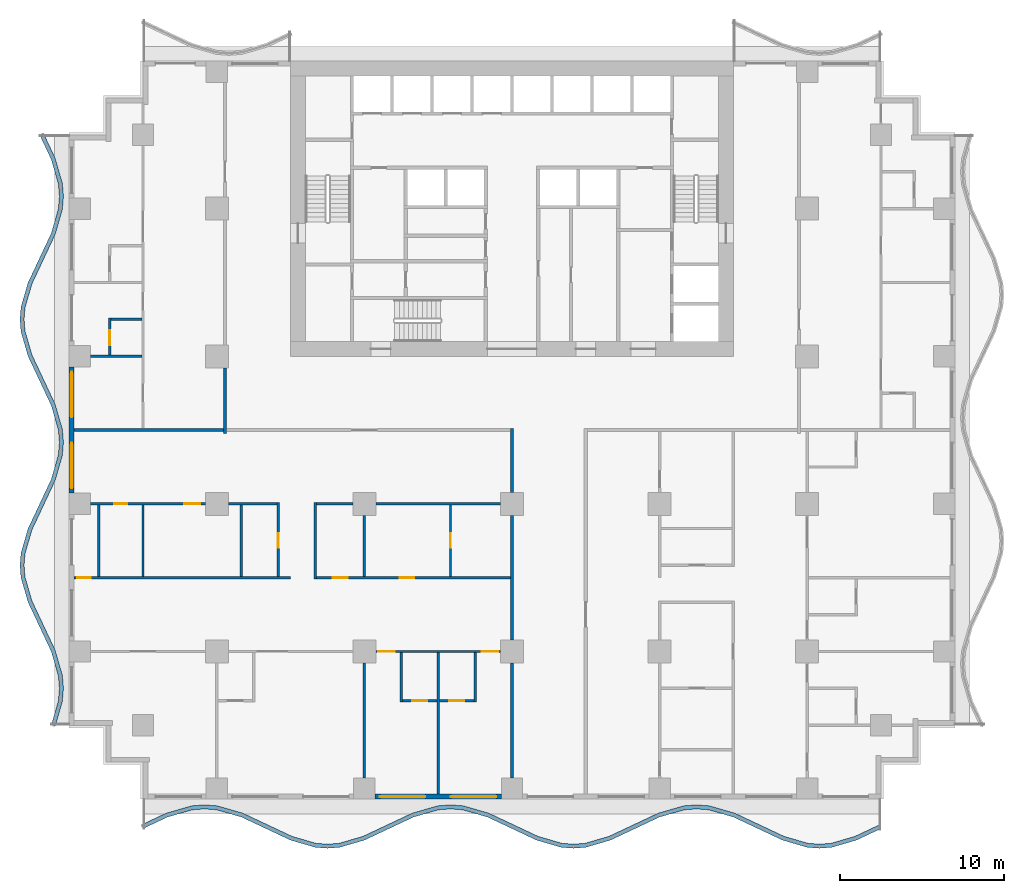
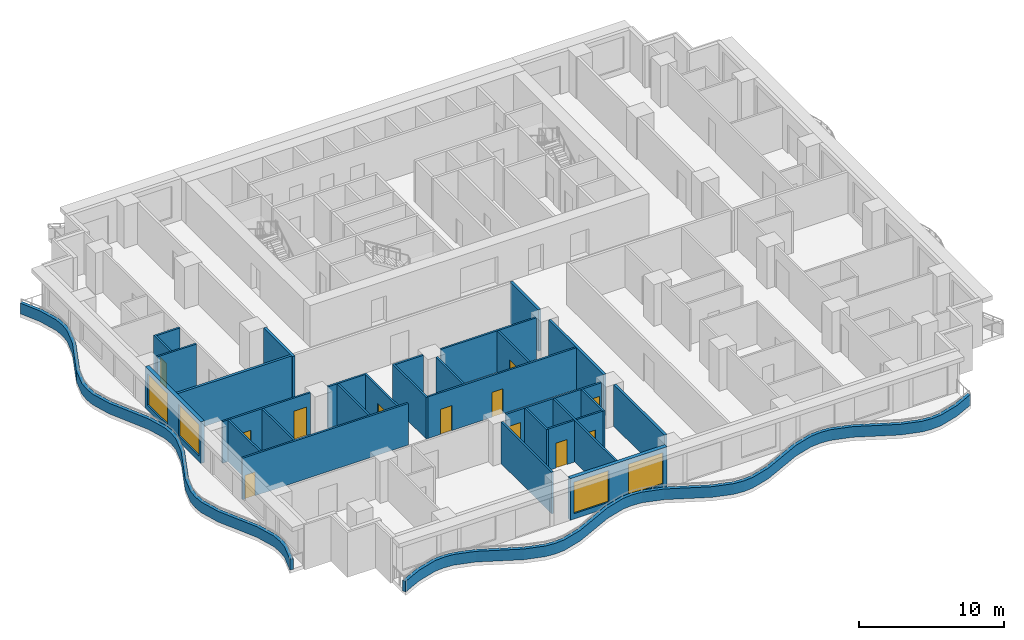
# One storey, part 2 of 13: 32 walls, 12 doors, 4 windows, 16 openings.
"""IFC4 building model written with IfcOpenShell, lengths in metres."""

import ifcopenshell
import ifcopenshell.guid

model = None  # the IFC model being written
_history = None  # IfcOwnerHistory: only IFC2X3 demands one
_inside = {}  # id of a spatial element -> (the spatial element, [elements in it])
_under = {}  # id of a project, library or spatial element -> (it, [spatial elements below it])
_declared = {}  # id of a project -> (the project, [libraries it declares])
_typed = {}  # id of a type object -> (the type object, [elements of that type])
_made_of = {}  # id of a material, layer set ... -> (it, [elements and type objects made of it])


def new_model(schema):
    """Start an empty IFC model of exactly this schema.

    Asked for "IFC4X3", IfcOpenShell would pick the latest addendum, in which some entities
    have other attributes; the version numbers below select the first issue.
    IFC2X3 requires an IfcOwnerHistory on every rooted entity: one is made here for all.
    """
    global model, _history
    if schema == "IFC4X3":
        model = ifcopenshell.file(schema_version=(4, 3, 0, 0))
    else:
        model = ifcopenshell.file(schema=schema)
    _inside.clear()
    _under.clear()
    _declared.clear()
    _typed.clear()
    _made_of.clear()
    _history = None
    if model.schema == "IFC2X3":
        org = make("IfcOrganization", Name="unknown")
        user = make(
            "IfcPersonAndOrganization",
            ThePerson=make("IfcPerson", FamilyName="unknown"),
            TheOrganization=org,
        )
        app = make(
            "IfcApplication",
            ApplicationDeveloper=org,
            Version="unknown",
            ApplicationFullName="unknown",
            ApplicationIdentifier="unknown",
        )
        _history = make(
            "IfcOwnerHistory",
            OwningUser=user,
            OwningApplication=app,
            ChangeAction="ADDED",
            CreationDate=0,
        )
    return model


def make(cls, **values):
    """One entity of the class cls with the attributes given. An attribute that is None is left unset."""
    return model.create_entity(
        cls, **{name: value for name, value in values.items() if value is not None}
    )


def rooted(cls, **values):
    """An entity with a GlobalId (a new one), such as an element, a storey or a relation."""
    return make(cls, GlobalId=ifcopenshell.guid.new(), OwnerHistory=_history, **values)


def si_unit(unit_type, name, prefix=None):
    """IfcSIUnit, for example si_unit("LENGTHUNIT", "METRE", prefix="MILLI")."""
    return make("IfcSIUnit", UnitType=unit_type, Prefix=prefix, Name=name)


def assignment(units):
    """IfcUnitAssignment: the units of a project."""
    return None if units is None else make("IfcUnitAssignment", Units=units)


def point(xyz):
    """IfcCartesianPoint."""
    return None if xyz is None else make("IfcCartesianPoint", Coordinates=xyz)


def direction(xyz):
    """IfcDirection."""
    return None if xyz is None else make("IfcDirection", DirectionRatios=xyz)


def frame(location, z_axis=None, x_axis=None):
    """IfcAxis2Placement3D, a coordinate frame: its origin and axes. An axis left out is left unset."""
    return make(
        "IfcAxis2Placement3D",
        Location=point(location),
        Axis=direction(z_axis),
        RefDirection=direction(x_axis),
    )


def frame_2d(location, x_axis=None):
    """IfcAxis2Placement2D, a coordinate frame in the plane: its origin and x axis."""
    return make(
        "IfcAxis2Placement2D", Location=point(location), RefDirection=direction(x_axis)
    )


def origin():
    """The frame at (0, 0, 0) with its axes left unset."""
    return frame((0.0, 0.0, 0.0))


def place(relative_to, where):
    """IfcLocalPlacement: puts the frame where relative to a parent placement (None: the world)."""
    return make(
        "IfcLocalPlacement", PlacementRelTo=relative_to, RelativePlacement=where
    )


def context(
    kind, dimensions, precision=None, world=None, true_north=None, identifier=None
):
    """IfcGeometricRepresentationContext, for example the 3D "Model" context."""
    return make(
        "IfcGeometricRepresentationContext",
        ContextIdentifier=identifier,
        ContextType=kind,
        CoordinateSpaceDimension=dimensions,
        Precision=precision,
        WorldCoordinateSystem=world,
        TrueNorth=true_north,
    )


def subcontext(parent, identifier, kind, view, scale=None):
    """IfcGeometricRepresentationSubContext, for example "Body" below "Model"."""
    return make(
        "IfcGeometricRepresentationSubContext",
        ContextIdentifier=identifier,
        ContextType=kind,
        ParentContext=parent,
        TargetScale=scale,
        TargetView=view,
    )


def project(units=None, contexts=None):
    """IfcProject with its units and contexts."""
    return rooted(
        "IfcProject",
        Name="project",
        RepresentationContexts=contexts,
        UnitsInContext=assignment(units),
    )


def spatial(cls, under=None, at=None, **own):
    """A site, building, storey or space (cls), placed at a placement, below another one or the project."""
    s = rooted(cls, ObjectPlacement=at, **own)
    if under is not None:
        _under.setdefault(under.id(), (under, []))[1].append(s)
    return s


def polyline(points):
    """IfcPolyline through the points."""
    return make("IfcPolyline", Points=[point(p) for p in points])


def profile(cls, at=None, kind="AREA", **sizes):
    """A parametric profile (cls). Its sizes go by their IFC names, for example OverallWidth=200.0."""
    return make(cls, ProfileType=kind, Position=at, **sizes)


def rectangle(**sizes):
    """IfcRectangleProfileDef."""
    return profile("IfcRectangleProfileDef", **sizes)


def outline(outer, holes=None, kind="AREA"):
    """IfcArbitraryClosedProfileDef: a profile drawn as a closed curve; with holes, ...WithVoids."""
    if holes is None:
        return make("IfcArbitraryClosedProfileDef", ProfileType=kind, OuterCurve=outer)
    return make(
        "IfcArbitraryProfileDefWithVoids",
        ProfileType=kind,
        OuterCurve=outer,
        InnerCurves=holes,
    )


def extrude(swept, where, along, depth):
    """IfcExtrudedAreaSolid: the profile swept, set in the frame where, extruded along a direction by depth."""
    return make(
        "IfcExtrudedAreaSolid",
        SweptArea=swept,
        Position=where,
        ExtrudedDirection=direction(along),
        Depth=depth,
    )


def shape(context_of_items, identifier, shape_type, items):
    """IfcShapeRepresentation: the items that make up one representation, for example the "Body"."""
    return make(
        "IfcShapeRepresentation",
        ContextOfItems=context_of_items,
        RepresentationIdentifier=identifier,
        RepresentationType=shape_type,
        Items=items,
    )


def material(Name=None, Category=None):
    """IfcMaterial."""
    return make("IfcMaterial", Name=Name, Category=Category)


def layer(
    of_material, thickness, ventilated=None, Name=None, Category=None, Priority=None
):
    """IfcMaterialLayer: one layer of a wall or slab, of a material (None: an air gap)."""
    return make(
        "IfcMaterialLayer",
        Material=of_material,
        LayerThickness=thickness,
        IsVentilated=ventilated,
        Name=Name,
        Category=Category,
        Priority=Priority,
    )


def layer_set(layers, Name=None):
    """IfcMaterialLayerSet."""
    return make("IfcMaterialLayerSet", MaterialLayers=layers, LayerSetName=Name)


def made_of(thing, what):
    """Note that an element or type object is made of a material, layer set ...; save() writes the relation."""
    if what is not None:
        _made_of.setdefault(what.id(), (what, []))[1].append(thing)
    return thing


def type_object(cls, material=None, **own):
    """A type object (cls), such as IfcWallType, which elements share."""
    return made_of(rooted(cls, **own), material)


def element(
    cls,
    number,
    at=None,
    inside=None,
    cuts=None,
    type_object=None,
    material=None,
    context=None,
    identifier="Body",
    shape_type=None,
    held_by="IfcProductDefinitionShape",
    body=None,
    shapes=None,
    **own,
):
    """One element of the class cls, such as IfcWall. Its Tag is "e" and its number.

    at: its placement. inside: the storey or other place that contains it. cuts: it is an
    opening in that element (IfcRelVoidsElement). A single representation is given by context,
    identifier, shape_type and body (its items); several are given by shapes. held_by: the class
    of the entity that holds the representations. save() writes the other relations.
    """
    e = rooted(cls, Tag="e%d" % number, ObjectPlacement=at, **own)
    if body is not None:
        shapes = [shape(context, identifier, shape_type, body)]
    if shapes is not None:
        e.Representation = make(held_by, Representations=shapes)
    if inside is not None:
        _inside.setdefault(inside.id(), (inside, []))[1].append(e)
    if cuts is not None:
        rooted(
            "IfcRelVoidsElement", RelatingBuildingElement=cuts, RelatedOpeningElement=e
        )
    if type_object is not None:
        _typed.setdefault(type_object.id(), (type_object, []))[1].append(e)
    return made_of(e, material)


def fill(opening, filler):
    """IfcRelFillsElement: the door or window that sits in an opening."""
    return rooted(
        "IfcRelFillsElement",
        RelatingOpeningElement=opening,
        RelatedBuildingElement=filler,
    )


def aggregate(whole, parts):
    """IfcRelAggregates: a whole, such as a stair, and the parts it consists of."""
    return rooted("IfcRelAggregates", RelatingObject=whole, RelatedObjects=parts)


def save(model, path):
    """Write the relations noted so far, then the file.

    IfcRelAggregates (storeys below a building ...), IfcRelContainedInSpatialStructure (elements
    in a storey), IfcRelDefinesByType, IfcRelAssociatesMaterial and IfcRelDeclares: one each for
    every whole, place, type object, material and project.
    """
    for whole, parts in _under.values():
        aggregate(whole, parts)
    for where, things in _inside.values():
        rooted(
            "IfcRelContainedInSpatialStructure",
            RelatedElements=things,
            RelatingStructure=where,
        )
    for kind, things in _typed.values():
        rooted("IfcRelDefinesByType", RelatedObjects=things, RelatingType=kind)
    for what, things in _made_of.values():
        rooted("IfcRelAssociatesMaterial", RelatedObjects=things, RelatingMaterial=what)
    for by, libraries in _declared.values():
        rooted("IfcRelDeclares", RelatingContext=by, RelatedDefinitions=libraries)
    model.write(path)


model = new_model("IFC4")

# Units and contexts
model_context = context("Model", 3, precision=1e-05, world=origin(), true_north=direction((0.0, 1.0)))
body_context = subcontext(model_context, "Body", "Model", "MODEL_VIEW")
ifc_project = project(units=[si_unit("LENGTHUNIT", "METRE"), si_unit("AREAUNIT", "SQUARE_METRE"), si_unit("VOLUMEUNIT", "CUBIC_METRE"), si_unit("PLANEANGLEUNIT", "RADIAN"), si_unit("MASSUNIT", "GRAM", prefix="KILO")], contexts=[model_context])

# Site, building, storey
site_placement = place(None, origin())
site = spatial("IfcSite", under=ifc_project, at=site_placement, CompositionType="ELEMENT")
building_placement = place(site_placement, origin())
building = spatial("IfcBuilding", under=site, at=building_placement, Name="Orbiselva Terraces", CompositionType="ELEMENT")
storey_placement = place(building_placement, frame((0.0, 0.0, 92.2)))
storey = spatial("IfcBuildingStorey", under=building, at=storey_placement, Name="L23", CompositionType="ELEMENT", Elevation=92.2)

# Walls
ifc_material_1 = material(Name="Concrete C40/50", Category="concrete")
ifc_layer_1 = layer(ifc_material_1, 0.25)
ifc_layer_set_1 = layer_set([ifc_layer_1], Name="Concrete C40/50")
wall_type_1 = type_object("IfcWallType", Name="ENV-PLANTER-250x900", PredefinedType="USERDEFINED", material=ifc_layer_set_1)
wall_1_placement = place(storey_placement, origin())
element("IfcWall", 1, at=wall_1_placement, inside=storey, type_object=wall_type_1, Name="Balcony planter L23 S", ObjectType="PLANTER", PredefinedType="USERDEFINED", context=body_context, shape_type="SweptSolid", body=[
    extrude(outline(polyline([(-22.5, -24.3), (-21.0, -23.594658), (-19.5, -23.158732), (-18.75, -23.1), (-18.0, -23.158732), (-16.5, -23.594658), (-15.0, -24.3), (-13.5, -25.005342), (-12.0, -25.441268), (-11.25, -25.5), (-10.5, -25.441268), (-9.0, -25.005342), (-7.5, -24.3), (-6.0, -23.594658), (-4.5, -23.158732), (-3.75, -23.1), (-3.0, -23.158732), (-1.5, -23.594658), (0.0, -24.3), (1.5, -25.005342), (3.0, -25.441268), (3.75, -25.5), (4.5, -25.441268), (6.0, -25.005342), (7.5, -24.3), (9.0, -23.594658), (10.5, -23.158732), (11.25, -23.1), (12.0, -23.158732), (13.5, -23.594658), (15.0, -24.3), (16.5, -25.005342), (18.0, -25.441268), (18.75, -25.5), (19.5, -25.441268), (21.0, -25.005342), (22.5, -24.3), (22.393617, -24.073764), (20.911382, -24.770753), (19.454886, -25.194035), (18.75, -25.249235), (18.045114, -25.194035), (16.588618, -24.770753), (15.106383, -24.073764), (13.588618, -23.360069), (12.045114, -22.911499), (11.25, -22.849235), (10.454886, -22.911499), (8.911382, -23.360069), (7.393617, -24.073764), (5.911382, -24.770753), (4.454886, -25.194035), (3.75, -25.249235), (3.045114, -25.194035), (1.588618, -24.770753), (0.106383, -24.073764), (-1.411382, -23.360069), (-2.954886, -22.911499), (-3.75, -22.849235), (-4.545114, -22.911499), (-6.088618, -23.360069), (-7.606383, -24.073764), (-9.088618, -24.770753), (-10.545114, -25.194035), (-11.25, -25.249235), (-11.954886, -25.194035), (-13.411382, -24.770753), (-14.893617, -24.073764), (-16.411382, -23.360069), (-17.954886, -22.911499), (-18.75, -22.849235), (-19.545114, -22.911499), (-21.088618, -23.360069), (-22.606383, -24.073764), (-22.5, -24.3)])), origin(), (0.0, 0.0, 1.0), 0.9),
])
wall_2_placement = place(storey_placement, origin())
element("IfcWall", 2, at=wall_2_placement, inside=storey, type_object=wall_type_1, Name="Balcony planter L23 W", ObjectType="PLANTER", PredefinedType="USERDEFINED", context=body_context, shape_type="SweptSolid", body=[
    extrude(outline(polyline([(-28.8, 18.0), (-28.094658, 16.5), (-27.658732, 15.0), (-27.6, 14.25), (-27.658732, 13.5), (-28.094658, 12.0), (-28.8, 10.5), (-29.505342, 9.0), (-29.941268, 7.5), (-30.0, 6.75), (-29.941268, 6.0), (-29.505342, 4.5), (-28.8, 3.0), (-28.094658, 1.5), (-27.658732, 0.0), (-27.6, -0.75), (-27.658732, -1.5), (-28.094658, -3.0), (-28.8, -4.5), (-29.505342, -6.0), (-29.941268, -7.5), (-30.0, -8.25), (-29.941268, -9.0), (-29.505342, -10.5), (-28.8, -12.0), (-28.094658, -13.5), (-27.658732, -15.0), (-27.6, -15.75), (-27.658732, -16.5), (-28.094658, -18.0), (-27.85459, -18.069768), (-27.411499, -16.545114), (-27.349235, -15.75), (-27.411499, -14.954886), (-27.860069, -13.411382), (-28.573764, -11.893617), (-29.270753, -10.411382), (-29.694035, -8.954886), (-29.749235, -8.25), (-29.694035, -7.545114), (-29.270753, -6.088618), (-28.573764, -4.606383), (-27.860069, -3.088618), (-27.411499, -1.545114), (-27.349235, -0.75), (-27.411499, 0.045114), (-27.860069, 1.588618), (-28.573764, 3.106383), (-29.270753, 4.588618), (-29.694035, 6.045114), (-29.749235, 6.75), (-29.694035, 7.454886), (-29.270753, 8.911382), (-28.573764, 10.393617), (-27.860069, 11.911382), (-27.411499, 13.454886), (-27.349235, 14.25), (-27.411499, 15.045114), (-27.860069, 16.588618), (-28.573764, 18.106383), (-28.8, 18.0)])), origin(), (0.0, 0.0, 1.0), 0.9),
])

# Wall, openings, windows
ifc_material_2 = material(Name="Terracotta cladding on masonry backing", Category="masonry")
ifc_layer_2 = layer(ifc_material_2, 0.3)
ifc_layer_set_2 = layer_set([ifc_layer_2], Name="Terracotta cladding on masonry backing")
wall_type_2 = type_object("IfcWallType", Name="ENV-WALL-TERRACOTTA-300", PredefinedType="SOLIDWALL", material=ifc_layer_set_2)
wall_3_placement = place(storey_placement, frame((-0.65, -22.35, 0.0), z_axis=(0.0, 0.0, 1.0), x_axis=(-1.0, 0.0, 0.0)))
wall_3 = element("IfcWall", 3, at=wall_3_placement, inside=storey, type_object=wall_type_2, Name="Facade wall L23 S", PredefinedType="SOLIDWALL", context=body_context, shape_type="SweptSolid", body=[
    extrude(rectangle(XDim=7.7, YDim=0.3, at=frame_2d((3.85, 0.0))), origin(), (0.0, 0.0, 1.0), 3.5),
])
opening_1_placement = place(wall_3_placement, frame((4.625, 0.0, 0.45)))
opening_1 = element("IfcOpeningElement", 4, at=opening_1_placement, cuts=wall_3, Name="Opening WN6", PredefinedType="OPENING", context=body_context, shape_type="SweptSolid", body=[
    extrude(rectangle(XDim=2.775, YDim=2.65, at=frame_2d((1.3875, 1.325))), frame((0.0, 0.16, 0.0), z_axis=(0.0, -1.0, 0.0), x_axis=(1.0, 0.0, 0.0)), (0.0, 0.0, 1.0), 0.32),
])
opening_2_placement = place(wall_3_placement, frame((0.3, 0.0, 0.45)))
opening_2 = element("IfcOpeningElement", 5, at=opening_2_placement, cuts=wall_3, Name="Opening WN6", PredefinedType="OPENING", context=body_context, shape_type="SweptSolid", body=[
    extrude(rectangle(XDim=2.775, YDim=2.65, at=frame_2d((1.3875, 1.325))), frame((0.0, 0.16, 0.0), z_axis=(0.0, -1.0, 0.0), x_axis=(1.0, 0.0, 0.0)), (0.0, 0.0, 1.0), 0.32),
])
ifc_material_3 = material(Name="Clear low-e glazing in aluminium frame", Category="aluminium")
window_type = type_object("IfcWindowType", Name="WINDOW 2775 X 2650 S450", PartitioningType="TRIPLE_PANEL_VERTICAL", PredefinedType="WINDOW", material=ifc_material_3)
window_1_placement = place(opening_1_placement, origin())
window_1 = element("IfcWindow", 6, at=window_1_placement, inside=storey, type_object=window_type, Name="Window L23 S", OverallHeight=2.65, OverallWidth=2.775, PartitioningType="SINGLE_PANEL", PredefinedType="WINDOW", context=body_context, shape_type="SweptSolid", body=[
    extrude(rectangle(XDim=2.775, YDim=2.65, at=frame_2d((1.3875, 1.325))), frame((0.0, 0.03, 0.0), z_axis=(0.0, -1.0, 0.0), x_axis=(1.0, 0.0, 0.0)), (0.0, 0.0, 1.0), 0.06),
])
fill(opening_1, window_1)
window_2_placement = place(opening_2_placement, origin())
window_2 = element("IfcWindow", 7, at=window_2_placement, inside=storey, type_object=window_type, Name="Window L23 S", OverallHeight=2.65, OverallWidth=2.775, PartitioningType="SINGLE_PANEL", PredefinedType="WINDOW", context=body_context, shape_type="SweptSolid", body=[
    extrude(rectangle(XDim=2.775, YDim=2.65, at=frame_2d((1.3875, 1.325))), frame((0.0, 0.03, 0.0), z_axis=(0.0, -1.0, 0.0), x_axis=(1.0, 0.0, 0.0)), (0.0, 0.0, 1.0), 0.06),
])
fill(opening_2, window_2)

wall_4_placement = place(storey_placement, frame((-26.85, -3.85, 0.0), z_axis=(0.0, 0.0, 1.0), x_axis=(0.0, 1.0, 0.0)))
wall_4 = element("IfcWall", 8, at=wall_4_placement, inside=storey, type_object=wall_type_2, Name="Facade wall L23 W", PredefinedType="SOLIDWALL", context=body_context, shape_type="SweptSolid", body=[
    extrude(rectangle(XDim=7.7, YDim=0.3, at=frame_2d((3.85, 0.0))), origin(), (0.0, 0.0, 1.0), 3.5),
])
opening_3_placement = place(wall_4_placement, frame((4.625, 0.0, 0.45)))
opening_3 = element("IfcOpeningElement", 9, at=opening_3_placement, cuts=wall_4, Name="Opening WN6", PredefinedType="OPENING", context=body_context, shape_type="SweptSolid", body=[
    extrude(rectangle(XDim=2.775, YDim=2.65, at=frame_2d((1.3875, 1.325))), frame((0.0, 0.16, 0.0), z_axis=(0.0, -1.0, 0.0), x_axis=(1.0, 0.0, 0.0)), (0.0, 0.0, 1.0), 0.32),
])
opening_4_placement = place(wall_4_placement, frame((0.3, 0.0, 0.45)))
opening_4 = element("IfcOpeningElement", 10, at=opening_4_placement, cuts=wall_4, Name="Opening WN6", PredefinedType="OPENING", context=body_context, shape_type="SweptSolid", body=[
    extrude(rectangle(XDim=2.775, YDim=2.65, at=frame_2d((1.3875, 1.325))), frame((0.0, 0.16, 0.0), z_axis=(0.0, -1.0, 0.0), x_axis=(1.0, 0.0, 0.0)), (0.0, 0.0, 1.0), 0.32),
])
window_3_placement = place(opening_3_placement, origin())
window_3 = element("IfcWindow", 11, at=window_3_placement, inside=storey, type_object=window_type, Name="Window L23 W", OverallHeight=2.65, OverallWidth=2.775, PartitioningType="SINGLE_PANEL", PredefinedType="WINDOW", context=body_context, shape_type="SweptSolid", body=[
    extrude(rectangle(XDim=2.775, YDim=2.65, at=frame_2d((1.3875, 1.325))), frame((0.0, 0.03, 0.0), z_axis=(0.0, -1.0, 0.0), x_axis=(1.0, 0.0, 0.0)), (0.0, 0.0, 1.0), 0.06),
])
fill(opening_3, window_3)
window_4_placement = place(opening_4_placement, origin())
window_4 = element("IfcWindow", 12, at=window_4_placement, inside=storey, type_object=window_type, Name="Window L23 W", OverallHeight=2.65, OverallWidth=2.775, PartitioningType="SINGLE_PANEL", PredefinedType="WINDOW", context=body_context, shape_type="SweptSolid", body=[
    extrude(rectangle(XDim=2.775, YDim=2.65, at=frame_2d((1.3875, 1.325))), frame((0.0, 0.03, 0.0), z_axis=(0.0, -1.0, 0.0), x_axis=(1.0, 0.0, 0.0)), (0.0, 0.0, 1.0), 0.06),
])
fill(opening_4, window_4)

# Walls
ifc_material_4 = material(Name="Plasterboard on steel stud partition", Category="steel")
ifc_layer_3 = layer(ifc_material_4, 0.2)
ifc_layer_set_3 = layer_set([ifc_layer_3], Name="Plasterboard on steel stud partition")
wall_type_3 = type_object("IfcWallType", Name="UNIT-ENTRANCE-WALL-200", PredefinedType="PARTITIONING", material=ifc_layer_set_3)
wall_5_placement = place(storey_placement, frame((-17.5, -0.2, 0.0), z_axis=(0.0, 0.0, 1.0), x_axis=(0.0, 1.0, 0.0)))
element("IfcWall", 13, at=wall_5_placement, inside=storey, type_object=wall_type_3, Name="PARTITION L23-044", PredefinedType="PARTITIONING", context=body_context, shape_type="SweptSolid", body=[
    extrude(rectangle(XDim=4.0, YDim=0.2, at=frame_2d((2.0, 0.0))), origin(), (0.0, 0.0, 1.0), 3.5),
])
wall_6_placement = place(storey_placement, frame((0.0, -21.2, 0.0), z_axis=(0.0, 0.0, 1.0), x_axis=(0.0, 1.0, 0.0)))
element("IfcWall", 14, at=wall_6_placement, inside=storey, type_object=wall_type_3, Name="PARTITION L23-057", PredefinedType="PARTITIONING", context=body_context, shape_type="SweptSolid", body=[
    extrude(rectangle(XDim=7.0, YDim=0.2, at=frame_2d((3.5, 0.0))), origin(), (0.0, 0.0, 1.0), 3.5),
])
wall_7_placement = place(storey_placement, frame((0.0, -12.8, 0.0), z_axis=(0.0, 0.0, 1.0), x_axis=(0.0, 1.0, 0.0)))
element("IfcWall", 15, at=wall_7_placement, inside=storey, type_object=wall_type_3, Name="PARTITION L23-058", PredefinedType="PARTITIONING", context=body_context, shape_type="SweptSolid", body=[
    extrude(rectangle(XDim=7.6, YDim=0.2, at=frame_2d((3.8, 0.0))), origin(), (0.0, 0.0, 1.0), 3.5),
])
wall_8_placement = place(storey_placement, frame((0.0, -3.8, 0.0), z_axis=(0.0, 0.0, 1.0), x_axis=(0.0, 1.0, 0.0)))
element("IfcWall", 16, at=wall_8_placement, inside=storey, type_object=wall_type_3, Name="PARTITION L23-059", PredefinedType="PARTITIONING", context=body_context, shape_type="SweptSolid", body=[
    extrude(rectangle(XDim=3.9, YDim=0.2, at=frame_2d((1.95, 0.0))), origin(), (0.0, 0.0, 1.0), 3.5),
])

# Wall, opening, door
ifc_layer_4 = layer(ifc_material_4, 0.15)
ifc_layer_set_4 = layer_set([ifc_layer_4], Name="Plasterboard on steel stud partition")
wall_type_4 = type_object("IfcWallType", Name="UNIT-PARTITION-150", PredefinedType="PARTITIONING", material=ifc_layer_set_4)
wall_9_placement = place(storey_placement, frame((-6.675, -16.5, 0.0), z_axis=(0.0, 0.0, 1.0), x_axis=(1.0, 0.0, 0.0)))
wall_9 = element("IfcWall", 17, at=wall_9_placement, inside=storey, type_object=wall_type_4, Name="PARTITION L23-005", PredefinedType="PARTITIONING", context=body_context, shape_type="SweptSolid", body=[
    extrude(rectangle(XDim=2.1, YDim=0.15, at=frame_2d((1.05, 0.0))), origin(), (0.0, 0.0, 1.0), 3.5),
])
opening_5_placement = place(wall_9_placement, frame((0.6, 0.0, 0.0)))
opening_5 = element("IfcOpeningElement", 18, at=opening_5_placement, cuts=wall_9, Name="Opening Z2-C-25", PredefinedType="OPENING", context=body_context, shape_type="SweptSolid", body=[
    extrude(rectangle(XDim=0.9, YDim=2.1, at=frame_2d((0.45, 1.05))), frame((0.0, 0.085, 0.0), z_axis=(0.0, -1.0, 0.0), x_axis=(1.0, 0.0, 0.0)), (0.0, 0.0, 1.0), 0.17),
])
ifc_material_5 = material(Name="Painted timber door leaf", Category="wood")
door_type_1 = type_object("IfcDoorType", Name="BATH DOOR 900", OperationType="NOTDEFINED", PredefinedType="DOOR", material=ifc_material_5)
door_1_placement = place(opening_5_placement, origin())
door_1 = element("IfcDoor", 19, at=door_1_placement, inside=storey, type_object=door_type_1, Name="Z2-C-25", OperationType="SINGLE_SWING_LEFT", OverallHeight=2.1, OverallWidth=0.9, PredefinedType="DOOR", context=body_context, shape_type="SweptSolid", body=[
    extrude(rectangle(XDim=0.9, YDim=2.1, at=frame_2d((0.45, 1.05))), frame((0.0, 0.025, 0.0), z_axis=(0.0, -1.0, 0.0), x_axis=(1.0, 0.0, 0.0)), (0.0, 0.0, 1.0), 0.05),
])
fill(opening_5, door_1)

wall_10_placement = place(storey_placement, frame((-4.425, -16.5, 0.0), z_axis=(0.0, 0.0, 1.0), x_axis=(1.0, 0.0, 0.0)))
wall_10 = element("IfcWall", 20, at=wall_10_placement, inside=storey, type_object=wall_type_4, Name="PARTITION L23-006", PredefinedType="PARTITIONING", context=body_context, shape_type="SweptSolid", body=[
    extrude(rectangle(XDim=2.1, YDim=0.15, at=frame_2d((1.05, 0.0))), origin(), (0.0, 0.0, 1.0), 3.5),
])
opening_6_placement = place(wall_10_placement, frame((0.6, 0.0, 0.0)))
opening_6 = element("IfcOpeningElement", 21, at=opening_6_placement, cuts=wall_10, Name="Opening Z2-C-27", PredefinedType="OPENING", context=body_context, shape_type="SweptSolid", body=[
    extrude(rectangle(XDim=0.9, YDim=2.1, at=frame_2d((0.45, 1.05))), frame((0.0, 0.085, 0.0), z_axis=(0.0, -1.0, 0.0), x_axis=(1.0, 0.0, 0.0)), (0.0, 0.0, 1.0), 0.17),
])
door_2_placement = place(opening_6_placement, origin())
door_2 = element("IfcDoor", 22, at=door_2_placement, inside=storey, type_object=door_type_1, Name="Z2-C-27", OperationType="SINGLE_SWING_RIGHT", OverallHeight=2.1, OverallWidth=0.9, PredefinedType="DOOR", context=body_context, shape_type="SweptSolid", body=[
    extrude(rectangle(XDim=0.9, YDim=2.1, at=frame_2d((0.45, 1.05))), frame((0.0, 0.025, 0.0), z_axis=(0.0, -1.0, 0.0), x_axis=(1.0, 0.0, 0.0)), (0.0, 0.0, 1.0), 0.05),
])
fill(opening_6, door_2)

# Wall, openings, doors
wall_11_placement = place(storey_placement, frame((-0.7, -13.5, 0.0), z_axis=(0.0, 0.0, 1.0), x_axis=(-1.0, 0.0, 0.0)))
wall_11 = element("IfcWall", 23, at=wall_11_placement, inside=storey, type_object=wall_type_4, Name="PARTITION L23-011", PredefinedType="PARTITIONING", context=body_context, shape_type="SweptSolid", body=[
    extrude(rectangle(XDim=7.6, YDim=0.15, at=frame_2d((3.8, 0.0))), origin(), (0.0, 0.0, 1.0), 3.5),
])
opening_7_placement = place(wall_11_placement, frame((6.45, 0.0, 0.0)))
opening_7 = element("IfcOpeningElement", 24, at=opening_7_placement, cuts=wall_11, Name="Opening Z2-C-24", PredefinedType="OPENING", context=body_context, shape_type="SweptSolid", body=[
    extrude(rectangle(XDim=1.0, YDim=2.4, at=frame_2d((0.5, 1.2))), frame((0.0, 0.085, 0.0), z_axis=(0.0, -1.0, 0.0), x_axis=(1.0, 0.0, 0.0)), (0.0, 0.0, 1.0), 0.17),
])
opening_8_placement = place(wall_11_placement, frame((0.15, 0.0, 0.0)))
opening_8 = element("IfcOpeningElement", 25, at=opening_8_placement, cuts=wall_11, Name="Opening Z2-C-26", PredefinedType="OPENING", context=body_context, shape_type="SweptSolid", body=[
    extrude(rectangle(XDim=1.0, YDim=2.4, at=frame_2d((0.5, 1.2))), frame((0.0, 0.085, 0.0), z_axis=(0.0, -1.0, 0.0), x_axis=(1.0, 0.0, 0.0)), (0.0, 0.0, 1.0), 0.17),
])
door_type_2 = type_object("IfcDoorType", Name="ROOM DOOR 1000", OperationType="NOTDEFINED", PredefinedType="DOOR", material=ifc_material_5)
door_3_placement = place(opening_7_placement, origin())
door_3 = element("IfcDoor", 26, at=door_3_placement, inside=storey, type_object=door_type_2, Name="Z2-C-24", OperationType="SINGLE_SWING_RIGHT", OverallHeight=2.4, OverallWidth=1.0, PredefinedType="DOOR", context=body_context, shape_type="SweptSolid", body=[
    extrude(rectangle(XDim=1.0, YDim=2.4, at=frame_2d((0.5, 1.2))), frame((0.0, 0.025, 0.0), z_axis=(0.0, -1.0, 0.0), x_axis=(1.0, 0.0, 0.0)), (0.0, 0.0, 1.0), 0.05),
])
fill(opening_7, door_3)
door_4_placement = place(opening_8_placement, origin())
door_4 = element("IfcDoor", 27, at=door_4_placement, inside=storey, type_object=door_type_2, Name="Z2-C-26", OperationType="SINGLE_SWING_LEFT", OverallHeight=2.4, OverallWidth=1.0, PredefinedType="DOOR", context=body_context, shape_type="SweptSolid", body=[
    extrude(rectangle(XDim=1.0, YDim=2.4, at=frame_2d((0.5, 1.2))), frame((0.0, 0.025, 0.0), z_axis=(0.0, -1.0, 0.0), x_axis=(1.0, 0.0, 0.0)), (0.0, 0.0, 1.0), 0.05),
])
fill(opening_8, door_4)

# Wall, opening, door
wall_12_placement = place(storey_placement, frame((-26.7, -9.0, 0.0), z_axis=(0.0, 0.0, 1.0), x_axis=(1.0, 0.0, 0.0)))
wall_12 = element("IfcWall", 28, at=wall_12_placement, inside=storey, type_object=wall_type_4, Name="PARTITION L23-015", PredefinedType="PARTITIONING", context=body_context, shape_type="SweptSolid", body=[
    extrude(rectangle(XDim=13.2, YDim=0.15, at=frame_2d((6.6, 0.0))), origin(), (0.0, 0.0, 1.0), 3.5),
])
opening_9_placement = place(wall_12_placement, frame((0.2, 0.0, 0.0)))
opening_9 = element("IfcOpeningElement", 29, at=opening_9_placement, cuts=wall_12, Name="Opening Z2-C-14", PredefinedType="OPENING", context=body_context, shape_type="SweptSolid", body=[
    extrude(rectangle(XDim=0.8, YDim=2.0, at=frame_2d((0.4, 1.0))), frame((0.0, 0.085, 0.0), z_axis=(0.0, -1.0, 0.0), x_axis=(1.0, 0.0, 0.0)), (0.0, 0.0, 1.0), 0.17),
])
door_type_3 = type_object("IfcDoorType", Name="STORE DOOR 800", OperationType="NOTDEFINED", PredefinedType="DOOR", material=ifc_material_5)
door_5_placement = place(opening_9_placement, origin())
door_5 = element("IfcDoor", 30, at=door_5_placement, inside=storey, type_object=door_type_3, Name="Z2-C-14", OperationType="SINGLE_SWING_LEFT", OverallHeight=2.0, OverallWidth=0.8, PredefinedType="DOOR", context=body_context, shape_type="SweptSolid", body=[
    extrude(rectangle(XDim=0.8, YDim=2.0, at=frame_2d((0.4, 1.0))), frame((0.0, 0.025, 0.0), z_axis=(0.0, -1.0, 0.0), x_axis=(1.0, 0.0, 0.0)), (0.0, 0.0, 1.0), 0.05),
])
fill(opening_9, door_5)

# Wall, openings, doors
wall_13_placement = place(storey_placement, frame((-11.925, -9.0, 0.0), z_axis=(0.0, 0.0, 1.0), x_axis=(1.0, 0.0, 0.0)))
wall_13 = element("IfcWall", 31, at=wall_13_placement, inside=storey, type_object=wall_type_4, Name="PARTITION L23-016", PredefinedType="PARTITIONING", context=body_context, shape_type="SweptSolid", body=[
    extrude(rectangle(XDim=11.825, YDim=0.15, at=frame_2d((5.9125, 0.0))), origin(), (0.0, 0.0, 1.0), 3.5),
])
opening_10_placement = place(wall_13_placement, frame((1.0, 0.0, 0.0)))
opening_10 = element("IfcOpeningElement", 32, at=opening_10_placement, cuts=wall_13, Name="Opening Z2-C-18", PredefinedType="OPENING", context=body_context, shape_type="SweptSolid", body=[
    extrude(rectangle(XDim=0.9, YDim=2.1, at=frame_2d((0.45, 1.05))), frame((0.0, 0.085, 0.0), z_axis=(0.0, -1.0, 0.0), x_axis=(1.0, 0.0, 0.0)), (0.0, 0.0, 1.0), 0.17),
])
opening_11_placement = place(wall_13_placement, frame((5.075, 0.0, 0.0)))
opening_11 = element("IfcOpeningElement", 33, at=opening_11_placement, cuts=wall_13, Name="Opening Z2-C-19", PredefinedType="OPENING", context=body_context, shape_type="SweptSolid", body=[
    extrude(rectangle(XDim=0.9, YDim=2.1, at=frame_2d((0.45, 1.05))), frame((0.0, 0.085, 0.0), z_axis=(0.0, -1.0, 0.0), x_axis=(1.0, 0.0, 0.0)), (0.0, 0.0, 1.0), 0.17),
])
door_type_4 = type_object("IfcDoorType", Name="SERVICE DOOR 900", OperationType="NOTDEFINED", PredefinedType="DOOR", material=ifc_material_5)
door_6_placement = place(opening_10_placement, origin())
door_6 = element("IfcDoor", 34, at=door_6_placement, inside=storey, type_object=door_type_4, Name="Z2-C-18", OperationType="SINGLE_SWING_LEFT", OverallHeight=2.1, OverallWidth=0.9, PredefinedType="DOOR", context=body_context, shape_type="SweptSolid", body=[
    extrude(rectangle(XDim=0.9, YDim=2.1, at=frame_2d((0.45, 1.05))), frame((0.0, 0.025, 0.0), z_axis=(0.0, -1.0, 0.0), x_axis=(1.0, 0.0, 0.0)), (0.0, 0.0, 1.0), 0.05),
])
fill(opening_10, door_6)
door_7_placement = place(opening_11_placement, origin())
door_7 = element("IfcDoor", 35, at=door_7_placement, inside=storey, type_object=door_type_4, Name="Z2-C-19", OperationType="SINGLE_SWING_LEFT", OverallHeight=2.1, OverallWidth=0.9, PredefinedType="DOOR", context=body_context, shape_type="SweptSolid", body=[
    extrude(rectangle(XDim=0.9, YDim=2.1, at=frame_2d((0.45, 1.05))), frame((0.0, 0.025, 0.0), z_axis=(0.0, -1.0, 0.0), x_axis=(1.0, 0.0, 0.0)), (0.0, 0.0, 1.0), 0.05),
])
fill(opening_11, door_7)

wall_14_placement = place(storey_placement, frame((-18.7, -4.5, 0.0), z_axis=(0.0, 0.0, 1.0), x_axis=(-1.0, 0.0, 0.0)))
wall_14 = element("IfcWall", 36, at=wall_14_placement, inside=storey, type_object=wall_type_4, Name="PARTITION L23-020", PredefinedType="PARTITIONING", context=body_context, shape_type="SweptSolid", body=[
    extrude(rectangle(XDim=7.0, YDim=0.15, at=frame_2d((3.5, 0.0))), origin(), (0.0, 0.0, 1.0), 3.5),
])
opening_12_placement = place(wall_14_placement, frame((4.75, 0.0, 0.0)))
opening_12 = element("IfcOpeningElement", 37, at=opening_12_placement, cuts=wall_14, Name="Opening Z2-C-15", PredefinedType="OPENING", context=body_context, shape_type="SweptSolid", body=[
    extrude(rectangle(XDim=0.8, YDim=2.0, at=frame_2d((0.4, 1.0))), frame((0.0, 0.085, 0.0), z_axis=(0.0, -1.0, 0.0), x_axis=(1.0, 0.0, 0.0)), (0.0, 0.0, 1.0), 0.17),
])
opening_13_placement = place(wall_14_placement, frame((0.3, 0.0, 0.0)))
opening_13 = element("IfcOpeningElement", 38, at=opening_13_placement, cuts=wall_14, Name="Opening Z2-C-16", PredefinedType="OPENING", context=body_context, shape_type="SweptSolid", body=[
    extrude(rectangle(XDim=1.0, YDim=2.4, at=frame_2d((0.5, 1.2))), frame((0.0, 0.085, 0.0), z_axis=(0.0, -1.0, 0.0), x_axis=(1.0, 0.0, 0.0)), (0.0, 0.0, 1.0), 0.17),
])
door_8_placement = place(opening_13_placement, origin())
door_8 = element("IfcDoor", 39, at=door_8_placement, inside=storey, type_object=door_type_2, Name="Z2-C-16", OperationType="SINGLE_SWING_LEFT", OverallHeight=2.4, OverallWidth=1.0, PredefinedType="DOOR", context=body_context, shape_type="SweptSolid", body=[
    extrude(rectangle(XDim=1.0, YDim=2.4, at=frame_2d((0.5, 1.2))), frame((0.0, 0.025, 0.0), z_axis=(0.0, -1.0, 0.0), x_axis=(1.0, 0.0, 0.0)), (0.0, 0.0, 1.0), 0.05),
])
fill(opening_13, door_8)
door_9_placement = place(opening_12_placement, origin())
door_9 = element("IfcDoor", 40, at=door_9_placement, inside=storey, type_object=door_type_3, Name="Z2-C-15", OperationType="SINGLE_SWING_RIGHT", OverallHeight=2.0, OverallWidth=0.8, PredefinedType="DOOR", context=body_context, shape_type="SweptSolid", body=[
    extrude(rectangle(XDim=0.8, YDim=2.0, at=frame_2d((0.4, 1.0))), frame((0.0, 0.025, 0.0), z_axis=(0.0, -1.0, 0.0), x_axis=(1.0, 0.0, 0.0)), (0.0, 0.0, 1.0), 0.05),
])
fill(opening_12, door_9)

# Walls
wall_15_placement = place(storey_placement, frame((-17.3, -4.5, 0.0), z_axis=(0.0, 0.0, 1.0), x_axis=(1.0, 0.0, 0.0)))
element("IfcWall", 41, at=wall_15_placement, inside=storey, type_object=wall_type_4, Name="PARTITION L23-021", PredefinedType="PARTITIONING", context=body_context, shape_type="SweptSolid", body=[
    extrude(rectangle(XDim=2.975, YDim=0.15, at=frame_2d((1.4875, 0.0))), origin(), (0.0, 0.0, 1.0), 3.5),
])
wall_16_placement = place(storey_placement, frame((-11.925, -4.5, 0.0), z_axis=(0.0, 0.0, 1.0), x_axis=(1.0, 0.0, 0.0)))
element("IfcWall", 42, at=wall_16_placement, inside=storey, type_object=wall_type_4, Name="PARTITION L23-022", PredefinedType="PARTITIONING", context=body_context, shape_type="SweptSolid", body=[
    extrude(rectangle(XDim=2.225, YDim=0.15, at=frame_2d((1.1125, 0.0))), origin(), (0.0, 0.0, 1.0), 3.5),
])
wall_17_placement = place(storey_placement, frame((-8.3, -4.5, 0.0), z_axis=(0.0, 0.0, 1.0), x_axis=(1.0, 0.0, 0.0)))
element("IfcWall", 43, at=wall_17_placement, inside=storey, type_object=wall_type_4, Name="PARTITION L23-023", PredefinedType="PARTITIONING", context=body_context, shape_type="SweptSolid", body=[
    extrude(rectangle(XDim=7.6, YDim=0.15, at=frame_2d((3.8, 0.0))), origin(), (0.0, 0.0, 1.0), 3.5),
])
wall_18_placement = place(storey_placement, frame((-25.7, 4.5, 0.0), z_axis=(0.0, 0.0, 1.0), x_axis=(1.0, 0.0, 0.0)))
element("IfcWall", 44, at=wall_18_placement, inside=storey, type_object=wall_type_4, Name="PARTITION L23-030", PredefinedType="PARTITIONING", context=body_context, shape_type="SweptSolid", body=[
    extrude(rectangle(XDim=3.125, YDim=0.15, at=frame_2d((1.5625, 0.0))), origin(), (0.0, 0.0, 1.0), 3.5),
])
wall_19_placement = place(storey_placement, frame((-24.45, 6.75, 0.0), z_axis=(0.0, 0.0, 1.0), x_axis=(1.0, 0.0, 0.0)))
element("IfcWall", 45, at=wall_19_placement, inside=storey, type_object=wall_type_4, Name="PARTITION L23-031", PredefinedType="PARTITIONING", context=body_context, shape_type="SweptSolid", body=[
    extrude(rectangle(XDim=1.875, YDim=0.15, at=frame_2d((0.9375, 0.0))), origin(), (0.0, 0.0, 1.0), 3.5),
])
wall_20_placement = place(storey_placement, frame((-25.2, -8.925, 0.0), z_axis=(0.0, 0.0, 1.0), x_axis=(0.0, 1.0, 0.0)))
element("IfcWall", 46, at=wall_20_placement, inside=storey, type_object=wall_type_4, Name="PARTITION L23-037", PredefinedType="PARTITIONING", context=body_context, shape_type="SweptSolid", body=[
    extrude(rectangle(XDim=4.35, YDim=0.15, at=frame_2d((2.175, 0.0))), origin(), (0.0, 0.0, 1.0), 3.5),
])

# Wall, opening, door
wall_21_placement = place(storey_placement, frame((-24.525, 6.825, 0.0), z_axis=(0.0, 0.0, 1.0), x_axis=(0.0, -1.0, 0.0)))
wall_21 = element("IfcWall", 47, at=wall_21_placement, inside=storey, type_object=wall_type_4, Name="PARTITION L23-038", PredefinedType="PARTITIONING", context=body_context, shape_type="SweptSolid", body=[
    extrude(rectangle(XDim=2.25, YDim=0.15, at=frame_2d((1.125, 0.0))), origin(), (0.0, 0.0, 1.0), 3.5),
])
opening_14_placement = place(wall_21_placement, frame((0.75, 0.0, 0.0)))
opening_14 = element("IfcOpeningElement", 48, at=opening_14_placement, cuts=wall_21, Name="Opening Z2-C-04", PredefinedType="OPENING", context=body_context, shape_type="SweptSolid", body=[
    extrude(rectangle(XDim=0.9, YDim=2.1, at=frame_2d((0.45, 1.05))), frame((0.0, 0.085, 0.0), z_axis=(0.0, -1.0, 0.0), x_axis=(1.0, 0.0, 0.0)), (0.0, 0.0, 1.0), 0.17),
])
door_10_placement = place(opening_14_placement, origin())
door_10 = element("IfcDoor", 49, at=door_10_placement, inside=storey, type_object=door_type_1, Name="Z2-C-04", OperationType="SINGLE_SWING_RIGHT", OverallHeight=2.1, OverallWidth=0.9, PredefinedType="DOOR", context=body_context, shape_type="SweptSolid", body=[
    extrude(rectangle(XDim=0.9, YDim=2.1, at=frame_2d((0.45, 1.05))), frame((0.0, 0.025, 0.0), z_axis=(0.0, -1.0, 0.0), x_axis=(1.0, 0.0, 0.0)), (0.0, 0.0, 1.0), 0.05),
])
fill(opening_14, door_10)

# Walls
for number, where, z_axis, x_axis, name in (
    (50, (-22.5, -8.925, 0.0), (0.0, 0.0, 1.0), (0.0, 1.0, 0.0), "PARTITION L23-040"),
    (51, (-16.5, -8.925, 0.0), (0.0, 0.0, 1.0), (0.0, 1.0, 0.0), "PARTITION L23-047"),
):
    element("IfcWall", number, at=place(storey_placement, frame(where, z_axis=z_axis, x_axis=x_axis)), inside=storey, type_object=wall_type_4, Name=name, PredefinedType="PARTITIONING", context=body_context, shape_type="SweptSolid", body=[
        extrude(rectangle(XDim=4.35, YDim=0.15, at=frame_2d((2.175, 0.0))), origin(), (0.0, 0.0, 1.0), 3.5),
    ])

# Wall, opening, door
wall_22_placement = place(storey_placement, frame((-14.25, -8.925, 0.0), z_axis=(0.0, 0.0, 1.0), x_axis=(0.0, 1.0, 0.0)))
wall_22 = element("IfcWall", 52, at=wall_22_placement, inside=storey, type_object=wall_type_4, Name="PARTITION L23-049", PredefinedType="PARTITIONING", context=body_context, shape_type="SweptSolid", body=[
    extrude(rectangle(XDim=4.5, YDim=0.15, at=frame_2d((2.25, 0.0))), origin(), (0.0, 0.0, 1.0), 3.5),
])
opening_15_placement = place(wall_22_placement, frame((1.75, 0.0, 0.0)))
opening_15 = element("IfcOpeningElement", 53, at=opening_15_placement, cuts=wall_22, Name="Opening Z2-C-17", PredefinedType="OPENING", context=body_context, shape_type="SweptSolid", body=[
    extrude(rectangle(XDim=0.9, YDim=2.1, at=frame_2d((0.45, 1.05))), frame((0.0, 0.085, 0.0), z_axis=(0.0, -1.0, 0.0), x_axis=(1.0, 0.0, 0.0)), (0.0, 0.0, 1.0), 0.17),
])
door_11_placement = place(opening_15_placement, origin())
door_11 = element("IfcDoor", 54, at=door_11_placement, inside=storey, type_object=door_type_1, Name="Z2-C-17", OperationType="SINGLE_SWING_LEFT", OverallHeight=2.1, OverallWidth=0.9, PredefinedType="DOOR", context=body_context, shape_type="SweptSolid", body=[
    extrude(rectangle(XDim=0.9, YDim=2.1, at=frame_2d((0.45, 1.05))), frame((0.0, 0.025, 0.0), z_axis=(0.0, -1.0, 0.0), x_axis=(1.0, 0.0, 0.0)), (0.0, 0.0, 1.0), 0.05),
])
fill(opening_15, door_11)

# Walls
wall_23_placement = place(storey_placement, frame((-12.0, -9.075, 0.0), z_axis=(0.0, 0.0, 1.0), x_axis=(0.0, 1.0, 0.0)))
element("IfcWall", 55, at=wall_23_placement, inside=storey, type_object=wall_type_4, Name="PARTITION L23-050", PredefinedType="PARTITIONING", context=body_context, shape_type="SweptSolid", body=[
    extrude(rectangle(XDim=4.65, YDim=0.15, at=frame_2d((2.325, 0.0))), origin(), (0.0, 0.0, 1.0), 3.5),
])
wall_24_placement = place(storey_placement, frame((-9.0, -21.2, 0.0), z_axis=(0.0, 0.0, 1.0), x_axis=(0.0, 1.0, 0.0)))
element("IfcWall", 56, at=wall_24_placement, inside=storey, type_object=wall_type_4, Name="PARTITION L23-051", PredefinedType="PARTITIONING", context=body_context, shape_type="SweptSolid", body=[
    extrude(rectangle(XDim=7.0, YDim=0.15, at=frame_2d((3.5, 0.0))), origin(), (0.0, 0.0, 1.0), 3.5),
])
wall_25_placement = place(storey_placement, frame((-9.0, -8.925, 0.0), z_axis=(0.0, 0.0, 1.0), x_axis=(0.0, 1.0, 0.0)))
element("IfcWall", 57, at=wall_25_placement, inside=storey, type_object=wall_type_4, Name="PARTITION L23-052", PredefinedType="PARTITIONING", context=body_context, shape_type="SweptSolid", body=[
    extrude(rectangle(XDim=3.725, YDim=0.15, at=frame_2d((1.8625, 0.0))), origin(), (0.0, 0.0, 1.0), 3.5),
])
wall_26_placement = place(storey_placement, frame((-6.75, -16.575, 0.0), z_axis=(0.0, 0.0, 1.0), x_axis=(0.0, 1.0, 0.0)))
element("IfcWall", 58, at=wall_26_placement, inside=storey, type_object=wall_type_4, Name="PARTITION L23-053", PredefinedType="PARTITIONING", context=body_context, shape_type="SweptSolid", body=[
    extrude(rectangle(XDim=3.0, YDim=0.15, at=frame_2d((1.5, 0.0))), origin(), (0.0, 0.0, 1.0), 3.5),
])
wall_27_placement = place(storey_placement, frame((-4.5, -22.2, 0.0), z_axis=(0.0, 0.0, 1.0), x_axis=(0.0, 1.0, 0.0)))
element("IfcWall", 59, at=wall_27_placement, inside=storey, type_object=wall_type_4, Name="PARTITION L23-054", PredefinedType="PARTITIONING", context=body_context, shape_type="SweptSolid", body=[
    extrude(rectangle(XDim=8.625, YDim=0.15, at=frame_2d((4.3125, 0.0))), origin(), (0.0, 0.0, 1.0), 3.5),
])

# Wall, opening, door
wall_28_placement = place(storey_placement, frame((-3.75, -4.575, 0.0), z_axis=(0.0, 0.0, 1.0), x_axis=(0.0, -1.0, 0.0)))
wall_28 = element("IfcWall", 60, at=wall_28_placement, inside=storey, type_object=wall_type_4, Name="PARTITION L23-055", PredefinedType="PARTITIONING", context=body_context, shape_type="SweptSolid", body=[
    extrude(rectangle(XDim=4.35, YDim=0.15, at=frame_2d((2.175, 0.0))), origin(), (0.0, 0.0, 1.0), 3.5),
])
opening_16_placement = place(wall_28_placement, frame((1.7, 0.0, 0.0)))
opening_16 = element("IfcOpeningElement", 61, at=opening_16_placement, cuts=wall_28, Name="Opening Z2-C-20", PredefinedType="OPENING", context=body_context, shape_type="SweptSolid", body=[
    extrude(rectangle(XDim=0.9, YDim=2.1, at=frame_2d((0.45, 1.05))), frame((0.0, 0.085, 0.0), z_axis=(0.0, -1.0, 0.0), x_axis=(1.0, 0.0, 0.0)), (0.0, 0.0, 1.0), 0.17),
])
door_12_placement = place(opening_16_placement, origin())
door_12 = element("IfcDoor", 62, at=door_12_placement, inside=storey, type_object=door_type_1, Name="Z2-C-20", OperationType="SINGLE_SWING_LEFT", OverallHeight=2.1, OverallWidth=0.9, PredefinedType="DOOR", context=body_context, shape_type="SweptSolid", body=[
    extrude(rectangle(XDim=0.9, YDim=2.1, at=frame_2d((0.45, 1.05))), frame((0.0, 0.025, 0.0), z_axis=(0.0, -1.0, 0.0), x_axis=(1.0, 0.0, 0.0)), (0.0, 0.0, 1.0), 0.05),
])
fill(opening_16, door_12)

# Walls
wall_29_placement = place(storey_placement, frame((-2.25, -16.575, 0.0), z_axis=(0.0, 0.0, 1.0), x_axis=(0.0, 1.0, 0.0)))
element("IfcWall", 63, at=wall_29_placement, inside=storey, type_object=wall_type_4, Name="PARTITION L23-056", PredefinedType="PARTITIONING", context=body_context, shape_type="SweptSolid", body=[
    extrude(rectangle(XDim=3.0, YDim=0.15, at=frame_2d((1.5, 0.0))), origin(), (0.0, 0.0, 1.0), 3.5),
])
ifc_layer_5 = layer(ifc_material_4, 0.2)
ifc_layer_set_5 = layer_set([ifc_layer_5], Name="Plasterboard on steel stud partition")
wall_type_5 = type_object("IfcWallType", Name="UNIT-PARTY-WALL-200", PredefinedType="PARTITIONING", material=ifc_layer_set_5)
wall_30_placement = place(storey_placement, frame((-26.7, 0.0, 0.0), z_axis=(0.0, 0.0, 1.0), x_axis=(1.0, 0.0, 0.0)))
element("IfcWall", 64, at=wall_30_placement, inside=storey, type_object=wall_type_5, Name="PARTITION L23-027", PredefinedType="PARTITIONING", context=body_context, shape_type="SweptSolid", body=[
    extrude(rectangle(XDim=9.1, YDim=0.2, at=frame_2d((4.55, 0.0))), origin(), (0.0, 0.0, 1.0), 3.5),
])

save(model, "model.ifc")
